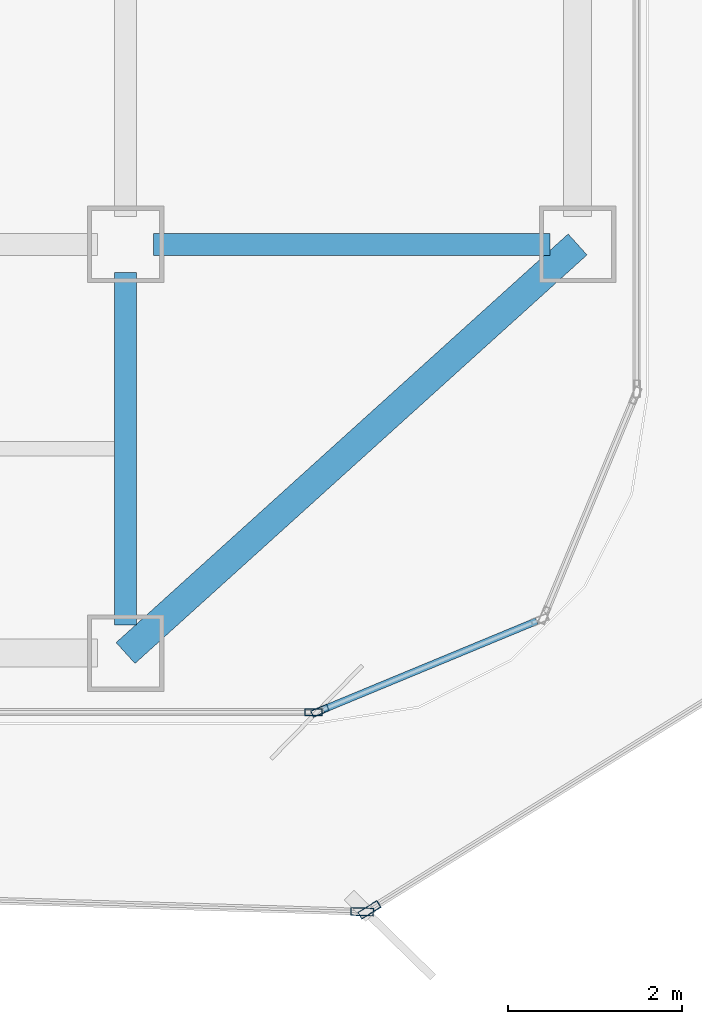
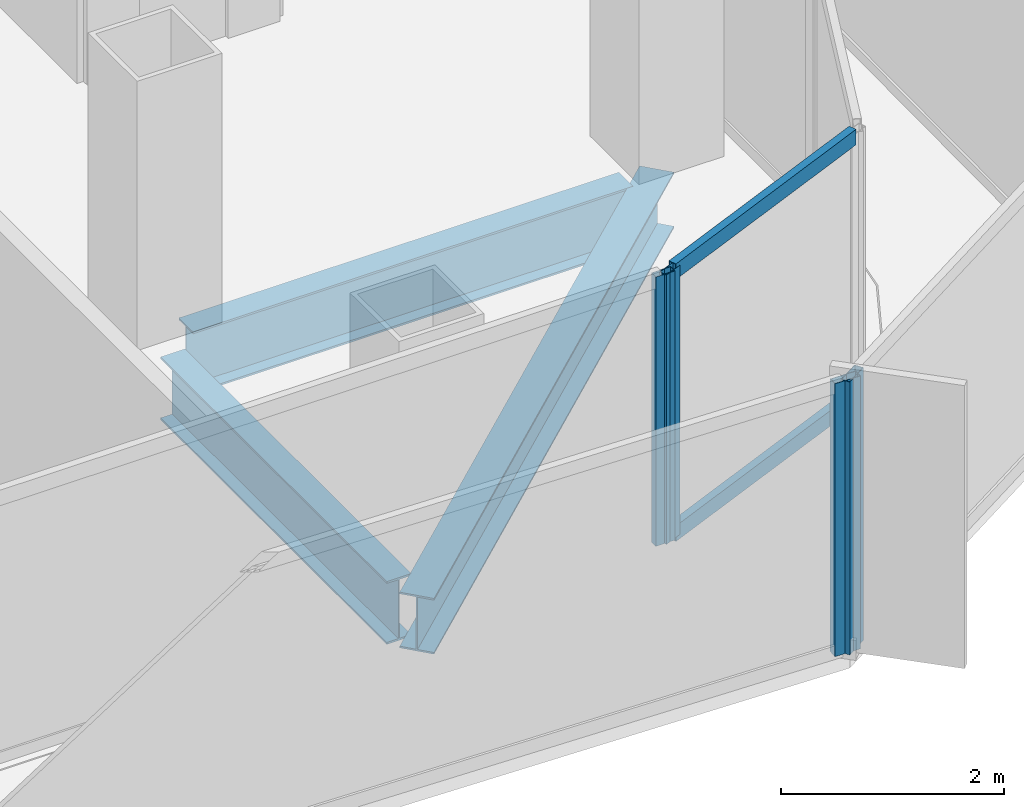
# One storey, part 6 of 21: 6 members, 3 beams, 4 elements without a shape of their own.
"""IFC4 building model written with IfcOpenShell, lengths in metres."""

from ifc_helpers import new_model, si_unit, direction, frame, origin, origin_2d, place, context, subcontext, project, spatial, hollow_rectangle, i_section, extrude, source, transform, mapped, material, layer, layer_set, material_profile, profile_set, type_object, element, aggregate, save


model = new_model("IFC4")

# Units and contexts
model_context = context("Model", 3, precision=1e-05, world=origin(), true_north=direction((0.0, 1.0)))
body_context = subcontext(model_context, "Body", "Model", "MODEL_VIEW")
ifc_project = project(units=[si_unit("LENGTHUNIT", "METRE"), si_unit("AREAUNIT", "SQUARE_METRE"), si_unit("VOLUMEUNIT", "CUBIC_METRE"), si_unit("PLANEANGLEUNIT", "RADIAN"), si_unit("MASSUNIT", "GRAM", prefix="KILO")], contexts=[model_context])

# Site, building, storey
site_placement = place(None, origin())
site = spatial("IfcSite", under=ifc_project, at=site_placement, CompositionType="ELEMENT")
building_placement = place(site_placement, origin())
building = spatial("IfcBuilding", under=site, at=building_placement, Name="Kolveth Station Tower", CompositionType="ELEMENT")
storey_placement = place(building_placement, frame((0.0, 0.0, 115.10009765625)))
storey = spatial("IfcBuildingStorey", under=building, at=storey_placement, Name="L31", CompositionType="ELEMENT", Elevation=115.10009765625)

# Beams
ifc_material_1 = material(Name="Steel S355", Category="steel")
ifc_material_profile_1 = material_profile(ifc_material_1, i_section(OverallWidth=0.323974609375, OverallDepth=0.611083984375, WebThickness=0.0126953125, FlangeThickness=0.01904296875, at=origin_2d()), Name="W610x155")
ifc_profile_set_1 = profile_set([ifc_material_profile_1], Name="Steel S355")
beam_type_1 = type_object("IfcBeamType", Name="Beam_SP2", PredefinedType="SPANDREL", material=ifc_profile_set_1)
shared_shape_1 = source(origin(), body_context, "Body", "SweptSolid", [
    extrude(i_section(OverallWidth=0.323974609375, OverallDepth=0.611083984375, WebThickness=0.0126953125, FlangeThickness=0.01904296875, at=origin_2d()), origin(), (0.0, 0.0, 1.0), 7.00927734375),
])
beam_1_placement = place(storey_placement, frame((41.0, 0.800048828125, -0.5556640625), z_axis=(0.741874009795, 0.670539300557, 0.0), x_axis=(-0.670539300557, 0.741874009795, 0.0)))
element("IfcBeam", 1, at=beam_1_placement, inside=storey, type_object=beam_type_1, Name="L31 Corner Edge Girder BM-L31-CNR-SE", PredefinedType="SPANDREL", context=body_context, shape_type="MappedRepresentation", body=[
    mapped(shared_shape_1, transform((0.0, 0.0, 0.0), x_axis=(1.0, 0.0, 0.0), y_axis=(0.0, 1.0, 0.0), z_axis=(0.0, 0.0, 1.0), scale=1.0)),
])
ifc_material_profile_2 = material_profile(ifc_material_1, i_section(OverallWidth=0.25390625, OverallDepth=0.68798828125, WebThickness=0.01318359375, FlangeThickness=0.02099609375, at=origin_2d()), Name="W690x152")
ifc_profile_set_2 = profile_set([ifc_material_profile_2], Name="Steel S355")
beam_type_2 = type_object("IfcBeamType", Name="Beam_B4", PredefinedType="BEAM", material=ifc_profile_set_2)
shared_shape_2 = source(origin(), body_context, "Body", "SweptSolid", [
    extrude(i_section(OverallWidth=0.25390625, OverallDepth=0.68798828125, WebThickness=0.01318359375, FlangeThickness=0.02099609375, at=origin_2d()), origin(), (0.0, 0.0, 1.0), 4.559814453125),
])
beam_2_placement = place(storey_placement, frame((41.320068359375, 5.5, -0.593994140625), z_axis=(1.0, 0.0, 0.0), x_axis=(0.0, 1.0, 0.0)))
element("IfcBeam", 2, at=beam_2_placement, inside=storey, type_object=beam_type_2, Name="L31 Primary Girder BM-L31-GY55-7", PredefinedType="BEAM", context=body_context, shape_type="MappedRepresentation", body=[
    mapped(shared_shape_2, transform((0.0, 0.0, 0.0), x_axis=(1.0, 0.0, 0.0), y_axis=(0.0, 1.0, 0.0), z_axis=(0.0, 0.0, 1.0), scale=1.0)),
])
shared_shape_3 = source(origin(), body_context, "Body", "SweptSolid", [
    extrude(i_section(OverallWidth=0.25390625, OverallDepth=0.68798828125, WebThickness=0.01318359375, FlangeThickness=0.02099609375, at=origin_2d()), origin(), (0.0, 0.0, 1.0), 4.059814453125),
])
beam_3_placement = place(storey_placement, frame((41.0, 1.1201171875, -0.593994140625), z_axis=(0.0, 1.0, 0.0), x_axis=(-1.0, 0.0, 0.0)))
element("IfcBeam", 3, at=beam_3_placement, inside=storey, type_object=beam_type_2, Name="L31 Primary Girder BM-L31-GX410-1", PredefinedType="BEAM", context=body_context, shape_type="MappedRepresentation", body=[
    mapped(shared_shape_3, transform((0.0, 0.0, 0.0), x_axis=(1.0, 0.0, 0.0), y_axis=(0.0, 1.0, 0.0), z_axis=(0.0, 0.0, 1.0), scale=1.0)),
])

# Curtain wall, member
ifc_material_2 = material(Name="Aluminium 6063-T6 and low-E dark glass", Category="aluminium")
ifc_layer_1 = layer(ifc_material_2, 0.18994140625)
ifc_layer_set_1 = layer_set([ifc_layer_1], Name="Aluminium 6063-T6 and low-E dark glass")
curtain_wall_type_1 = type_object("IfcCurtainWallType", Name="CurtainWall_CW-Z2", PredefinedType="NOTDEFINED", material=ifc_layer_set_1)
curtain_wall_1_placement = place(storey_placement, origin())
curtain_wall_1 = element("IfcCurtainWall", 4, at=curtain_wall_1_placement, inside=storey, type_object=curtain_wall_type_1, Name="L31 Inner Thermal Curtain Wall 1", PredefinedType="NOTDEFINED")
ifc_material_3 = material(Name="Black anodized aluminium 6063-T6", Category="aluminium")
ifc_material_profile_3 = material_profile(ifc_material_3, hollow_rectangle(XDim=0.080078125, YDim=0.199951171875, WallThickness=0.0048828125, at=origin_2d()), Name="ALU-80x200x5")
ifc_profile_set_3 = profile_set([ifc_material_profile_3], Name="Black anodized aluminium 6063-T6")
member_type_1 = type_object("IfcMemberType", Name="Mullion_ML2", PredefinedType="MULLION", material=ifc_profile_set_3)
shared_shape_4 = source(origin(), body_context, "Body", "SweptSolid", [
    extrude(hollow_rectangle(XDim=0.080078125, YDim=0.199951171875, WallThickness=0.0048828125, at=origin_2d()), origin(), (0.0, 0.0, 1.0), 2.949951171875),
])
member_1_placement = place(storey_placement, frame((43.237060546875, 0.13525390625, 0.0), z_axis=(0.0, 0.0, 1.0), x_axis=(-0.38266326998, 0.923887883787, 0.0)))
member_1 = element("IfcMember", 5, at=member_1_placement, type_object=member_type_1, Name="CW-Z2 mullion 1", PredefinedType="MULLION", context=body_context, shape_type="MappedRepresentation", body=[
    mapped(shared_shape_4, transform((0.0, 0.0, 0.0), x_axis=(1.0, 0.0, 0.0), y_axis=(0.0, 1.0, 0.0), z_axis=(0.0, 0.0, 1.0), scale=1.0)),
])

curtain_wall_2_placement = place(storey_placement, origin())
curtain_wall_2 = element("IfcCurtainWall", 6, at=curtain_wall_2_placement, inside=storey, type_object=curtain_wall_type_1, Name="L31 Inner Thermal Curtain Wall 12", PredefinedType="NOTDEFINED")
member_2_placement = place(storey_placement, frame((43.159912109375, 0.1201171875, 0.0), z_axis=(0.0, 0.0, 1.0), x_axis=(0.0, 1.0, 0.0)))
member_2 = element("IfcMember", 7, at=member_2_placement, type_object=member_type_1, Name="CW-Z2 mullion 3", PredefinedType="MULLION", context=body_context, shape_type="MappedRepresentation", body=[
    mapped(shared_shape_4, transform((0.0, 0.0, 0.0), x_axis=(1.0, 0.0, 0.0), y_axis=(0.0, 1.0, 0.0), z_axis=(0.0, 0.0, 1.0), scale=1.0)),
])
aggregate(curtain_wall_2, [member_2])

# Member
ifc_material_profile_4 = material_profile(ifc_material_3, hollow_rectangle(XDim=0.080078125, YDim=0.169921875, WallThickness=0.0048828125, at=origin_2d()), Name="ALU-80x170x5")
ifc_profile_set_4 = profile_set([ifc_material_profile_4], Name="Black anodized aluminium 6063-T6")
member_type_2 = type_object("IfcMemberType", Name="Transom_TR2", PredefinedType="USERDEFINED", material=ifc_profile_set_4)
shared_shape_5 = source(origin(), body_context, "Body", "SweptSolid", [
    extrude(hollow_rectangle(XDim=0.080078125, YDim=0.169921875, WallThickness=0.0048828125, at=origin_2d()), origin(), (0.0, 0.0, 1.0), 2.656494140625),
])
member_3_placement = place(storey_placement, frame((43.27392578125, 0.150634765625, 0.039794921875), z_axis=(0.923882422403, 0.382676455475, 0.0), x_axis=(-0.382676455475, 0.923882422403, 0.0)))
member_3 = element("IfcMember", 8, at=member_3_placement, type_object=member_type_2, Name="CW-Z2 transom 1.1", ObjectType="TRANSOM", PredefinedType="USERDEFINED", context=body_context, shape_type="MappedRepresentation", body=[
    mapped(shared_shape_5, transform((0.0, 0.0, 0.0), x_axis=(1.0, 0.0, 0.0), y_axis=(0.0, 1.0, 0.0), z_axis=(0.0, 0.0, 1.0), scale=1.0)),
])

member_4_placement = place(storey_placement, frame((43.27392578125, 0.150634765625, 2.909912109375), z_axis=(0.923882422403, 0.382676455475, 0.0), x_axis=(-0.382676455475, 0.923882422403, 0.0)))
member_4 = element("IfcMember", 9, at=member_4_placement, type_object=member_type_2, Name="CW-Z2 transom 1.2", ObjectType="TRANSOM", PredefinedType="USERDEFINED", context=body_context, shape_type="MappedRepresentation", body=[
    mapped(shared_shape_5, transform((0.0, 0.0, 0.0), x_axis=(1.0, 0.0, 0.0), y_axis=(0.0, 1.0, 0.0), z_axis=(0.0, 0.0, 1.0), scale=1.0)),
])

aggregate(curtain_wall_1, [member_1, member_3, member_4])

# Curtain wall, member
ifc_material_4 = material(Name="Black anodized aluminium 6063-T6 and dark solar glass", Category="aluminium")
ifc_layer_2 = layer(ifc_material_4, 0.159912109375)
ifc_layer_set_2 = layer_set([ifc_layer_2], Name="Black anodized aluminium 6063-T6 and dark solar glass")
curtain_wall_type_2 = type_object("IfcCurtainWallType", Name="OUTER SKIN CW-OS", PredefinedType="NOTDEFINED", material=ifc_layer_set_2)
curtain_wall_3_placement = place(storey_placement, origin())
curtain_wall_3 = element("IfcCurtainWall", 10, at=curtain_wall_3_placement, inside=storey, type_object=curtain_wall_type_2, Name="L31 Outer Ventilated Skin Curtain Wall 1", PredefinedType="NOTDEFINED")
ifc_material_profile_5 = material_profile(ifc_material_3, hollow_rectangle(XDim=0.090087890625, YDim=0.260009765625, WallThickness=0.0048828125, at=origin_2d()), Name="ALU-90x260x5")
ifc_profile_set_5 = profile_set([ifc_material_profile_5], Name="Black anodized aluminium 6063-T6")
member_type_3 = type_object("IfcMemberType", Name="FIN MULLION ML-OS", PredefinedType="MULLION", material=ifc_profile_set_5)
shared_shape_6 = source(origin(), body_context, "Body", "SweptSolid", [
    extrude(hollow_rectangle(XDim=0.090087890625, YDim=0.260009765625, WallThickness=0.0048828125, at=origin_2d()), origin(), (0.0, 0.0, 1.0), 2.989990234375),
])
member_5_placement = place(storey_placement, frame((43.80517578125, -2.154052734375, 0.0), z_axis=(0.0, 0.0, 1.0), x_axis=(-0.527753404684, 0.849397635884, 0.0)))
member_5 = element("IfcMember", 11, at=member_5_placement, type_object=member_type_3, Name="CW-OS mullion 1", PredefinedType="MULLION", context=body_context, shape_type="MappedRepresentation", body=[
    mapped(shared_shape_6, transform((0.0, 0.0, 0.0), x_axis=(1.0, 0.0, 0.0), y_axis=(0.0, 1.0, 0.0), z_axis=(0.0, 0.0, 1.0), scale=1.0)),
])
aggregate(curtain_wall_3, [member_5])

curtain_wall_4_placement = place(storey_placement, origin())
curtain_wall_4 = element("IfcCurtainWall", 12, at=curtain_wall_4_placement, inside=storey, type_object=curtain_wall_type_2, Name="L31 Outer Ventilated Skin Curtain Wall 8", PredefinedType="NOTDEFINED")
member_6_placement = place(storey_placement, frame((43.721923828125, -2.17626953125, 0.0), z_axis=(0.0, 0.0, 1.0), x_axis=(0.029769298917, 0.999556796206, 0.0)))
member_6 = element("IfcMember", 13, at=member_6_placement, type_object=member_type_3, Name="CW-OS mullion 2", PredefinedType="MULLION", context=body_context, shape_type="MappedRepresentation", body=[
    mapped(shared_shape_6, transform((0.0, 0.0, 0.0), x_axis=(1.0, 0.0, 0.0), y_axis=(0.0, 1.0, 0.0), z_axis=(0.0, 0.0, 1.0), scale=1.0)),
])
aggregate(curtain_wall_4, [member_6])

save(model, "model.ifc")
